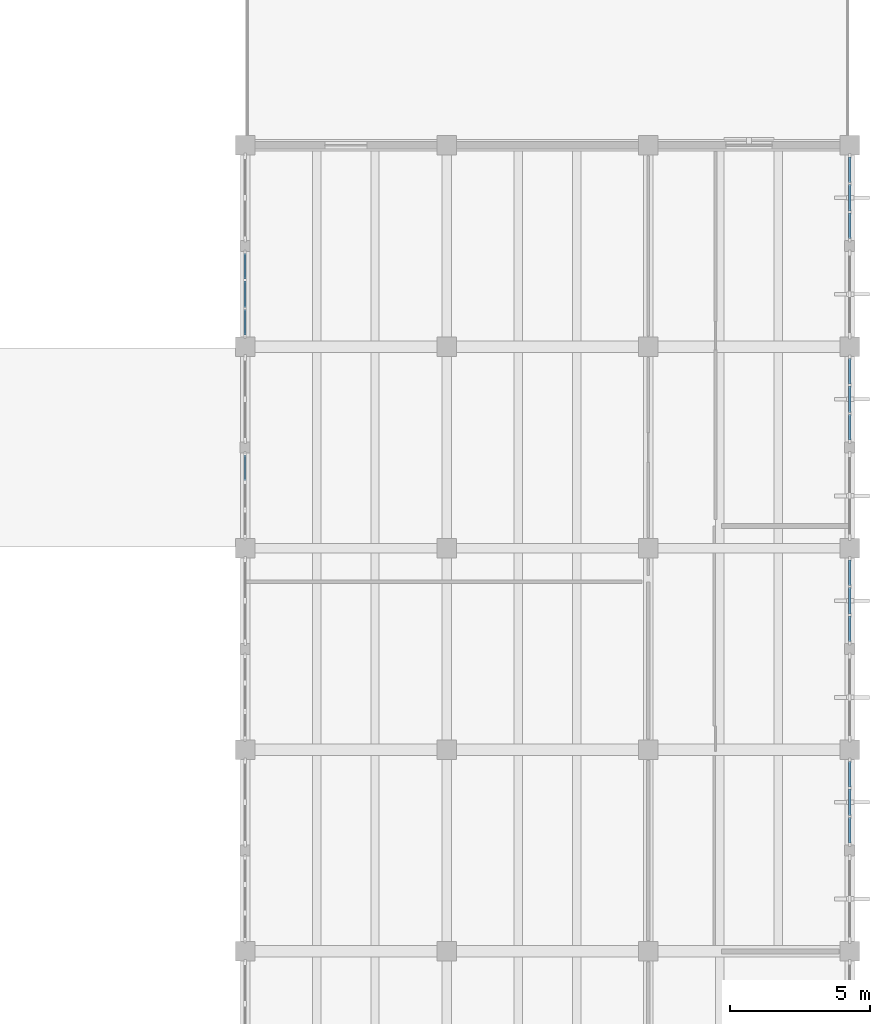
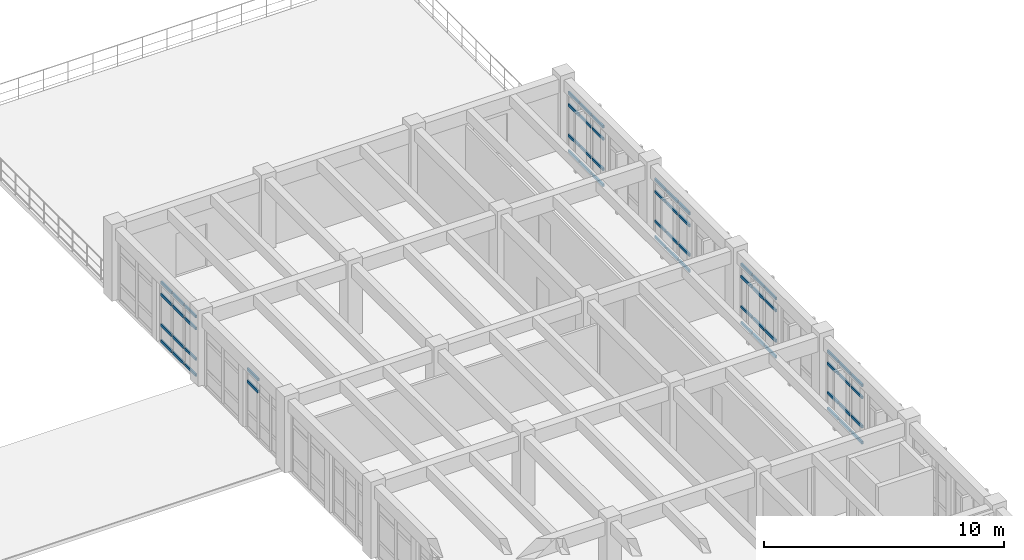
# One storey, part 21 of 54: 62 members, 6 elements without a shape of their own.
"""IFC4 building model written with IfcOpenShell, lengths in metres."""

from ifc_helpers import new_model, si_unit, direction, frame, origin, origin_2d, place, context, subcontext, project, spatial, rectangle, extrude, material, layer, layer_set, material_profile, profile_set, type_object, element, aggregate, save


model = new_model("IFC4")

# Units and contexts
model_context = context("Model", 3, precision=1e-05, world=origin(), true_north=direction((0.0, 1.0)))
body_context = subcontext(model_context, "Body", "Model", "MODEL_VIEW")
ifc_project = project(units=[si_unit("LENGTHUNIT", "METRE"), si_unit("AREAUNIT", "SQUARE_METRE"), si_unit("VOLUMEUNIT", "CUBIC_METRE"), si_unit("PLANEANGLEUNIT", "RADIAN"), si_unit("MASSUNIT", "GRAM", prefix="KILO")], contexts=[model_context])

# Site, building, storey
site_placement = place(None, origin())
site = spatial("IfcSite", under=ifc_project, at=site_placement, CompositionType="ELEMENT")
building_placement = place(site_placement, origin())
building = spatial("IfcBuilding", under=site, at=building_placement, Name="Koriwan Promenade Central Fire Station", CompositionType="ELEMENT")
storey_placement = place(building_placement, frame((0.0, 0.0, 9.60009765625)))
storey = spatial("IfcBuildingStorey", under=building, at=storey_placement, Name="L02", CompositionType="ELEMENT", Elevation=9.60009765625)

# Curtain wall, members
ifc_material_1 = material(Name="Aluminium EN AW-6063-T6 and low-E glazing", Category="aluminium")
ifc_layer_1 = layer(ifc_material_1, 0.159912109375, Name="Aluminium EN AW-6063-T6 and low-E glazing")
ifc_layer_set_1 = layer_set([ifc_layer_1], Name="Aluminium EN AW-6063-T6 and low-E glazing")
curtain_wall_type_1 = type_object("IfcCurtainWallType", Name="CurtainWall_74_305x300", PredefinedType="USERDEFINED", material=ifc_layer_set_1)
curtain_wall_1_placement = place(storey_placement, origin())
curtain_wall_1 = element("IfcCurtainWall", 1, at=curtain_wall_1_placement, inside=storey, type_object=curtain_wall_type_1, Name="V5 L02 unitised curtain wall 231", ObjectType="UNITISED CURTAIN WALL", PredefinedType="USERDEFINED")
ifc_material_2 = material(Name="Aluminium EN AW-6063-T6", Category="aluminium")
ifc_material_profile = material_profile(ifc_material_2, rectangle(XDim=0.074951171875, YDim=0.139892578125, at=origin_2d()), Name="ALU-TRN-75x140")
ifc_profile_set = profile_set([ifc_material_profile], Name="Aluminium EN AW-6063-T6")
member_type = type_object("IfcMemberType", Name="CWTransom_ALU-TRN-75x140", PredefinedType="USERDEFINED", material=ifc_profile_set)
member_1_placement = place(storey_placement, frame((151.199951171875, 45.620849609375, 2.349853515625), z_axis=(0.0, 1.0, 0.0), x_axis=(-1.0, 0.0, 0.0)))
member_1 = element("IfcMember", 2, at=member_1_placement, type_object=member_type, Name="CW-74 transom 3.3", ObjectType="TRANSOM", PredefinedType="USERDEFINED", context=body_context, shape_type="SweptSolid", body=[
    extrude(rectangle(XDim=0.074951171875, YDim=0.139892578125, at=origin_2d()), origin(), (0.0, 0.0, 1.0), 0.904052734375),
])
member_2_placement = place(storey_placement, frame((151.199951171875, 45.620849609375, 2.96240234375), z_axis=(0.0, 1.0, 0.0), x_axis=(-1.0, 0.0, 0.0)))
member_2 = element("IfcMember", 3, at=member_2_placement, type_object=member_type, Name="CW-74 transom 3.4", ObjectType="TRANSOM", PredefinedType="USERDEFINED", context=body_context, shape_type="SweptSolid", body=[
    extrude(rectangle(XDim=0.074951171875, YDim=0.139892578125, at=origin_2d()), origin(), (0.0, 0.0, 1.0), 0.904052734375),
])
aggregate(curtain_wall_1, [member_1, member_2])

ifc_layer_2 = layer(ifc_material_1, 0.159912109375, Name="Aluminium EN AW-6063-T6 and low-E glazing")
ifc_layer_set_2 = layer_set([ifc_layer_2], Name="Aluminium EN AW-6063-T6 and low-E glazing")
curtain_wall_type_2 = type_object("IfcCurtainWallType", Name="CurtainWall_76_305x305", PredefinedType="USERDEFINED", material=ifc_layer_set_2)
curtain_wall_2_placement = place(storey_placement, origin())
curtain_wall_2 = element("IfcCurtainWall", 4, at=curtain_wall_2_placement, inside=storey, type_object=curtain_wall_type_2, Name="V5 L02 unitised curtain wall 233", ObjectType="UNITISED CURTAIN WALL", PredefinedType="USERDEFINED")
member_3_placement = place(storey_placement, frame((151.199951171875, 50.824951171875, 0.037353515625), z_axis=(0.0, 1.0, 0.0), x_axis=(-1.0, 0.0, 0.0)))
member_3 = element("IfcMember", 5, at=member_3_placement, type_object=member_type, Name="CW-76 transom 1.1", ObjectType="TRANSOM", PredefinedType="USERDEFINED", context=body_context, shape_type="SweptSolid", body=[
    extrude(rectangle(XDim=0.074951171875, YDim=0.139892578125, at=origin_2d()), origin(), (0.0, 0.0, 1.0), 0.904296875),
])
member_4_placement = place(storey_placement, frame((151.199951171875, 50.824951171875, 0.849853515625), z_axis=(0.0, 1.0, 0.0), x_axis=(-1.0, 0.0, 0.0)))
member_4 = element("IfcMember", 6, at=member_4_placement, type_object=member_type, Name="CW-76 transom 1.2", ObjectType="TRANSOM", PredefinedType="USERDEFINED", context=body_context, shape_type="SweptSolid", body=[
    extrude(rectangle(XDim=0.074951171875, YDim=0.139892578125, at=origin_2d()), origin(), (0.0, 0.0, 1.0), 0.904296875),
])
member_5_placement = place(storey_placement, frame((151.199951171875, 50.824951171875, 2.39990234375), z_axis=(0.0, 1.0, 0.0), x_axis=(-1.0, 0.0, 0.0)))
member_5 = element("IfcMember", 7, at=member_5_placement, type_object=member_type, Name="CW-76 transom 1.3", ObjectType="TRANSOM", PredefinedType="USERDEFINED", context=body_context, shape_type="SweptSolid", body=[
    extrude(rectangle(XDim=0.074951171875, YDim=0.139892578125, at=origin_2d()), origin(), (0.0, 0.0, 1.0), 0.904296875),
])
member_6_placement = place(storey_placement, frame((151.199951171875, 50.824951171875, 3.012451171875), z_axis=(0.0, 1.0, 0.0), x_axis=(-1.0, 0.0, 0.0)))
member_6 = element("IfcMember", 8, at=member_6_placement, type_object=member_type, Name="CW-76 transom 1.4", ObjectType="TRANSOM", PredefinedType="USERDEFINED", context=body_context, shape_type="SweptSolid", body=[
    extrude(rectangle(XDim=0.074951171875, YDim=0.139892578125, at=origin_2d()), origin(), (0.0, 0.0, 1.0), 0.904296875),
])
member_7_placement = place(storey_placement, frame((151.199951171875, 51.80419921875, 0.037353515625), z_axis=(0.0, 1.0, 0.0), x_axis=(-1.0, 0.0, 0.0)))
member_7 = element("IfcMember", 9, at=member_7_placement, type_object=member_type, Name="CW-76 transom 2.1", ObjectType="TRANSOM", PredefinedType="USERDEFINED", context=body_context, shape_type="SweptSolid", body=[
    extrude(rectangle(XDim=0.074951171875, YDim=0.139892578125, at=origin_2d()), origin(), (0.0, 0.0, 1.0), 0.941650390625),
])
member_8_placement = place(storey_placement, frame((151.199951171875, 51.80419921875, 0.849853515625), z_axis=(0.0, 1.0, 0.0), x_axis=(-1.0, 0.0, 0.0)))
member_8 = element("IfcMember", 10, at=member_8_placement, type_object=member_type, Name="CW-76 transom 2.2", ObjectType="TRANSOM", PredefinedType="USERDEFINED", context=body_context, shape_type="SweptSolid", body=[
    extrude(rectangle(XDim=0.074951171875, YDim=0.139892578125, at=origin_2d()), origin(), (0.0, 0.0, 1.0), 0.941650390625),
])
member_9_placement = place(storey_placement, frame((151.199951171875, 51.80419921875, 2.39990234375), z_axis=(0.0, 1.0, 0.0), x_axis=(-1.0, 0.0, 0.0)))
member_9 = element("IfcMember", 11, at=member_9_placement, type_object=member_type, Name="CW-76 transom 2.3", ObjectType="TRANSOM", PredefinedType="USERDEFINED", context=body_context, shape_type="SweptSolid", body=[
    extrude(rectangle(XDim=0.074951171875, YDim=0.139892578125, at=origin_2d()), origin(), (0.0, 0.0, 1.0), 0.941650390625),
])
member_10_placement = place(storey_placement, frame((151.199951171875, 51.80419921875, 3.012451171875), z_axis=(0.0, 1.0, 0.0), x_axis=(-1.0, 0.0, 0.0)))
member_10 = element("IfcMember", 12, at=member_10_placement, type_object=member_type, Name="CW-76 transom 2.4", ObjectType="TRANSOM", PredefinedType="USERDEFINED", context=body_context, shape_type="SweptSolid", body=[
    extrude(rectangle(XDim=0.074951171875, YDim=0.139892578125, at=origin_2d()), origin(), (0.0, 0.0, 1.0), 0.941650390625),
])
member_11_placement = place(storey_placement, frame((151.199951171875, 52.82080078125, 0.037353515625), z_axis=(0.0, 1.0, 0.0), x_axis=(-1.0, 0.0, 0.0)))
member_11 = element("IfcMember", 13, at=member_11_placement, type_object=member_type, Name="CW-76 transom 3.1", ObjectType="TRANSOM", PredefinedType="USERDEFINED", context=body_context, shape_type="SweptSolid", body=[
    extrude(rectangle(XDim=0.074951171875, YDim=0.139892578125, at=origin_2d()), origin(), (0.0, 0.0, 1.0), 0.904296875),
])
member_12_placement = place(storey_placement, frame((151.199951171875, 52.82080078125, 0.849853515625), z_axis=(0.0, 1.0, 0.0), x_axis=(-1.0, 0.0, 0.0)))
member_12 = element("IfcMember", 14, at=member_12_placement, type_object=member_type, Name="CW-76 transom 3.2", ObjectType="TRANSOM", PredefinedType="USERDEFINED", context=body_context, shape_type="SweptSolid", body=[
    extrude(rectangle(XDim=0.074951171875, YDim=0.139892578125, at=origin_2d()), origin(), (0.0, 0.0, 1.0), 0.904296875),
])
member_13_placement = place(storey_placement, frame((151.199951171875, 52.82080078125, 2.39990234375), z_axis=(0.0, 1.0, 0.0), x_axis=(-1.0, 0.0, 0.0)))
member_13 = element("IfcMember", 15, at=member_13_placement, type_object=member_type, Name="CW-76 transom 3.3", ObjectType="TRANSOM", PredefinedType="USERDEFINED", context=body_context, shape_type="SweptSolid", body=[
    extrude(rectangle(XDim=0.074951171875, YDim=0.139892578125, at=origin_2d()), origin(), (0.0, 0.0, 1.0), 0.904296875),
])
member_14_placement = place(storey_placement, frame((151.199951171875, 52.82080078125, 3.012451171875), z_axis=(0.0, 1.0, 0.0), x_axis=(-1.0, 0.0, 0.0)))
member_14 = element("IfcMember", 16, at=member_14_placement, type_object=member_type, Name="CW-76 transom 3.4", ObjectType="TRANSOM", PredefinedType="USERDEFINED", context=body_context, shape_type="SweptSolid", body=[
    extrude(rectangle(XDim=0.074951171875, YDim=0.139892578125, at=origin_2d()), origin(), (0.0, 0.0, 1.0), 0.904296875),
])
aggregate(curtain_wall_2, [member_3, member_4, member_5, member_6, member_7, member_8, member_9, member_10, member_11, member_12, member_13, member_14])

curtain_wall_3_placement = place(storey_placement, origin())
curtain_wall_3 = element("IfcCurtainWall", 17, at=curtain_wall_3_placement, inside=storey, type_object=curtain_wall_type_2, Name="V5 L02 unitised curtain wall 235", ObjectType="UNITISED CURTAIN WALL", PredefinedType="USERDEFINED")
member_15_placement = place(storey_placement, frame((172.800048828125, 57.175048828125, 0.037353515625), z_axis=(0.0, -1.0, 0.0), x_axis=(1.0, 0.0, 0.0)))
member_15 = element("IfcMember", 18, at=member_15_placement, type_object=member_type, Name="CW-76 transom 1.1", ObjectType="TRANSOM", PredefinedType="USERDEFINED", context=body_context, shape_type="SweptSolid", body=[
    extrude(rectangle(XDim=0.074951171875, YDim=0.139892578125, at=origin_2d()), origin(), (0.0, 0.0, 1.0), 0.904296875),
])
member_16_placement = place(storey_placement, frame((172.800048828125, 57.175048828125, 0.849853515625), z_axis=(0.0, -1.0, 0.0), x_axis=(1.0, 0.0, 0.0)))
member_16 = element("IfcMember", 19, at=member_16_placement, type_object=member_type, Name="CW-76 transom 1.2", ObjectType="TRANSOM", PredefinedType="USERDEFINED", context=body_context, shape_type="SweptSolid", body=[
    extrude(rectangle(XDim=0.074951171875, YDim=0.139892578125, at=origin_2d()), origin(), (0.0, 0.0, 1.0), 0.904296875),
])
member_17_placement = place(storey_placement, frame((172.800048828125, 57.175048828125, 2.39990234375), z_axis=(0.0, -1.0, 0.0), x_axis=(1.0, 0.0, 0.0)))
member_17 = element("IfcMember", 20, at=member_17_placement, type_object=member_type, Name="CW-76 transom 1.3", ObjectType="TRANSOM", PredefinedType="USERDEFINED", context=body_context, shape_type="SweptSolid", body=[
    extrude(rectangle(XDim=0.074951171875, YDim=0.139892578125, at=origin_2d()), origin(), (0.0, 0.0, 1.0), 0.904296875),
])
member_18_placement = place(storey_placement, frame((172.800048828125, 57.175048828125, 3.012451171875), z_axis=(0.0, -1.0, 0.0), x_axis=(1.0, 0.0, 0.0)))
member_18 = element("IfcMember", 21, at=member_18_placement, type_object=member_type, Name="CW-76 transom 1.4", ObjectType="TRANSOM", PredefinedType="USERDEFINED", context=body_context, shape_type="SweptSolid", body=[
    extrude(rectangle(XDim=0.074951171875, YDim=0.139892578125, at=origin_2d()), origin(), (0.0, 0.0, 1.0), 0.904296875),
])
member_19_placement = place(storey_placement, frame((172.800048828125, 56.19580078125, 0.037353515625), z_axis=(0.0, -1.0, 0.0), x_axis=(1.0, 0.0, 0.0)))
member_19 = element("IfcMember", 22, at=member_19_placement, type_object=member_type, Name="CW-76 transom 2.1", ObjectType="TRANSOM", PredefinedType="USERDEFINED", context=body_context, shape_type="SweptSolid", body=[
    extrude(rectangle(XDim=0.074951171875, YDim=0.139892578125, at=origin_2d()), origin(), (0.0, 0.0, 1.0), 0.941650390625),
])
member_20_placement = place(storey_placement, frame((172.800048828125, 56.19580078125, 0.849853515625), z_axis=(0.0, -1.0, 0.0), x_axis=(1.0, 0.0, 0.0)))
member_20 = element("IfcMember", 23, at=member_20_placement, type_object=member_type, Name="CW-76 transom 2.2", ObjectType="TRANSOM", PredefinedType="USERDEFINED", context=body_context, shape_type="SweptSolid", body=[
    extrude(rectangle(XDim=0.074951171875, YDim=0.139892578125, at=origin_2d()), origin(), (0.0, 0.0, 1.0), 0.941650390625),
])
member_21_placement = place(storey_placement, frame((172.800048828125, 56.19580078125, 2.39990234375), z_axis=(0.0, -1.0, 0.0), x_axis=(1.0, 0.0, 0.0)))
member_21 = element("IfcMember", 24, at=member_21_placement, type_object=member_type, Name="CW-76 transom 2.3", ObjectType="TRANSOM", PredefinedType="USERDEFINED", context=body_context, shape_type="SweptSolid", body=[
    extrude(rectangle(XDim=0.074951171875, YDim=0.139892578125, at=origin_2d()), origin(), (0.0, 0.0, 1.0), 0.941650390625),
])
member_22_placement = place(storey_placement, frame((172.800048828125, 56.19580078125, 3.012451171875), z_axis=(0.0, -1.0, 0.0), x_axis=(1.0, 0.0, 0.0)))
member_22 = element("IfcMember", 25, at=member_22_placement, type_object=member_type, Name="CW-76 transom 2.4", ObjectType="TRANSOM", PredefinedType="USERDEFINED", context=body_context, shape_type="SweptSolid", body=[
    extrude(rectangle(XDim=0.074951171875, YDim=0.139892578125, at=origin_2d()), origin(), (0.0, 0.0, 1.0), 0.941650390625),
])
member_23_placement = place(storey_placement, frame((172.800048828125, 55.17919921875, 0.037353515625), z_axis=(0.0, -1.0, 0.0), x_axis=(1.0, 0.0, 0.0)))
member_23 = element("IfcMember", 26, at=member_23_placement, type_object=member_type, Name="CW-76 transom 3.1", ObjectType="TRANSOM", PredefinedType="USERDEFINED", context=body_context, shape_type="SweptSolid", body=[
    extrude(rectangle(XDim=0.074951171875, YDim=0.139892578125, at=origin_2d()), origin(), (0.0, 0.0, 1.0), 0.904296875),
])
member_24_placement = place(storey_placement, frame((172.800048828125, 55.17919921875, 0.849853515625), z_axis=(0.0, -1.0, 0.0), x_axis=(1.0, 0.0, 0.0)))
member_24 = element("IfcMember", 27, at=member_24_placement, type_object=member_type, Name="CW-76 transom 3.2", ObjectType="TRANSOM", PredefinedType="USERDEFINED", context=body_context, shape_type="SweptSolid", body=[
    extrude(rectangle(XDim=0.074951171875, YDim=0.139892578125, at=origin_2d()), origin(), (0.0, 0.0, 1.0), 0.904296875),
])
member_25_placement = place(storey_placement, frame((172.800048828125, 55.17919921875, 2.39990234375), z_axis=(0.0, -1.0, 0.0), x_axis=(1.0, 0.0, 0.0)))
member_25 = element("IfcMember", 28, at=member_25_placement, type_object=member_type, Name="CW-76 transom 3.3", ObjectType="TRANSOM", PredefinedType="USERDEFINED", context=body_context, shape_type="SweptSolid", body=[
    extrude(rectangle(XDim=0.074951171875, YDim=0.139892578125, at=origin_2d()), origin(), (0.0, 0.0, 1.0), 0.904296875),
])
member_26_placement = place(storey_placement, frame((172.800048828125, 55.17919921875, 3.012451171875), z_axis=(0.0, -1.0, 0.0), x_axis=(1.0, 0.0, 0.0)))
member_26 = element("IfcMember", 29, at=member_26_placement, type_object=member_type, Name="CW-76 transom 3.4", ObjectType="TRANSOM", PredefinedType="USERDEFINED", context=body_context, shape_type="SweptSolid", body=[
    extrude(rectangle(XDim=0.074951171875, YDim=0.139892578125, at=origin_2d()), origin(), (0.0, 0.0, 1.0), 0.904296875),
])
aggregate(curtain_wall_3, [member_15, member_16, member_17, member_18, member_19, member_20, member_21, member_22, member_23, member_24, member_25, member_26])

curtain_wall_4_placement = place(storey_placement, origin())
curtain_wall_4 = element("IfcCurtainWall", 30, at=curtain_wall_4_placement, inside=storey, type_object=curtain_wall_type_1, Name="V5 L02 unitised curtain wall 237", ObjectType="UNITISED CURTAIN WALL", PredefinedType="USERDEFINED")
member_27_placement = place(storey_placement, frame((172.800048828125, 49.97509765625, 0.037353515625), z_axis=(0.0, -1.0, 0.0), x_axis=(1.0, 0.0, 0.0)))
member_27 = element("IfcMember", 31, at=member_27_placement, type_object=member_type, Name="CW-74 transom 1.1", ObjectType="TRANSOM", PredefinedType="USERDEFINED", context=body_context, shape_type="SweptSolid", body=[
    extrude(rectangle(XDim=0.074951171875, YDim=0.139892578125, at=origin_2d()), origin(), (0.0, 0.0, 1.0), 0.904296875),
])
member_28_placement = place(storey_placement, frame((172.800048828125, 49.97509765625, 0.849853515625), z_axis=(0.0, -1.0, 0.0), x_axis=(1.0, 0.0, 0.0)))
member_28 = element("IfcMember", 32, at=member_28_placement, type_object=member_type, Name="CW-74 transom 1.2", ObjectType="TRANSOM", PredefinedType="USERDEFINED", context=body_context, shape_type="SweptSolid", body=[
    extrude(rectangle(XDim=0.074951171875, YDim=0.139892578125, at=origin_2d()), origin(), (0.0, 0.0, 1.0), 0.904296875),
])
member_29_placement = place(storey_placement, frame((172.800048828125, 49.97509765625, 2.349853515625), z_axis=(0.0, -1.0, 0.0), x_axis=(1.0, 0.0, 0.0)))
member_29 = element("IfcMember", 33, at=member_29_placement, type_object=member_type, Name="CW-74 transom 1.3", ObjectType="TRANSOM", PredefinedType="USERDEFINED", context=body_context, shape_type="SweptSolid", body=[
    extrude(rectangle(XDim=0.074951171875, YDim=0.139892578125, at=origin_2d()), origin(), (0.0, 0.0, 1.0), 0.904296875),
])
member_30_placement = place(storey_placement, frame((172.800048828125, 49.97509765625, 2.96240234375), z_axis=(0.0, -1.0, 0.0), x_axis=(1.0, 0.0, 0.0)))
member_30 = element("IfcMember", 34, at=member_30_placement, type_object=member_type, Name="CW-74 transom 1.4", ObjectType="TRANSOM", PredefinedType="USERDEFINED", context=body_context, shape_type="SweptSolid", body=[
    extrude(rectangle(XDim=0.074951171875, YDim=0.139892578125, at=origin_2d()), origin(), (0.0, 0.0, 1.0), 0.904296875),
])
member_31_placement = place(storey_placement, frame((172.800048828125, 48.995849609375, 0.037353515625), z_axis=(0.0, -1.0, 0.0), x_axis=(1.0, 0.0, 0.0)))
member_31 = element("IfcMember", 35, at=member_31_placement, type_object=member_type, Name="CW-74 transom 2.1", ObjectType="TRANSOM", PredefinedType="USERDEFINED", context=body_context, shape_type="SweptSolid", body=[
    extrude(rectangle(XDim=0.074951171875, YDim=0.139892578125, at=origin_2d()), origin(), (0.0, 0.0, 1.0), 0.941650390625),
])
member_32_placement = place(storey_placement, frame((172.800048828125, 48.995849609375, 0.849853515625), z_axis=(0.0, -1.0, 0.0), x_axis=(1.0, 0.0, 0.0)))
member_32 = element("IfcMember", 36, at=member_32_placement, type_object=member_type, Name="CW-74 transom 2.2", ObjectType="TRANSOM", PredefinedType="USERDEFINED", context=body_context, shape_type="SweptSolid", body=[
    extrude(rectangle(XDim=0.074951171875, YDim=0.139892578125, at=origin_2d()), origin(), (0.0, 0.0, 1.0), 0.941650390625),
])
member_33_placement = place(storey_placement, frame((172.800048828125, 48.995849609375, 2.349853515625), z_axis=(0.0, -1.0, 0.0), x_axis=(1.0, 0.0, 0.0)))
member_33 = element("IfcMember", 37, at=member_33_placement, type_object=member_type, Name="CW-74 transom 2.3", ObjectType="TRANSOM", PredefinedType="USERDEFINED", context=body_context, shape_type="SweptSolid", body=[
    extrude(rectangle(XDim=0.074951171875, YDim=0.139892578125, at=origin_2d()), origin(), (0.0, 0.0, 1.0), 0.941650390625),
])
member_34_placement = place(storey_placement, frame((172.800048828125, 48.995849609375, 2.96240234375), z_axis=(0.0, -1.0, 0.0), x_axis=(1.0, 0.0, 0.0)))
member_34 = element("IfcMember", 38, at=member_34_placement, type_object=member_type, Name="CW-74 transom 2.4", ObjectType="TRANSOM", PredefinedType="USERDEFINED", context=body_context, shape_type="SweptSolid", body=[
    extrude(rectangle(XDim=0.074951171875, YDim=0.139892578125, at=origin_2d()), origin(), (0.0, 0.0, 1.0), 0.941650390625),
])
member_35_placement = place(storey_placement, frame((172.800048828125, 47.979248046875, 0.037353515625), z_axis=(0.0, -1.0, 0.0), x_axis=(1.0, 0.0, 0.0)))
member_35 = element("IfcMember", 39, at=member_35_placement, type_object=member_type, Name="CW-74 transom 3.1", ObjectType="TRANSOM", PredefinedType="USERDEFINED", context=body_context, shape_type="SweptSolid", body=[
    extrude(rectangle(XDim=0.074951171875, YDim=0.139892578125, at=origin_2d()), origin(), (0.0, 0.0, 1.0), 0.904296875),
])
member_36_placement = place(storey_placement, frame((172.800048828125, 47.979248046875, 0.849853515625), z_axis=(0.0, -1.0, 0.0), x_axis=(1.0, 0.0, 0.0)))
member_36 = element("IfcMember", 40, at=member_36_placement, type_object=member_type, Name="CW-74 transom 3.2", ObjectType="TRANSOM", PredefinedType="USERDEFINED", context=body_context, shape_type="SweptSolid", body=[
    extrude(rectangle(XDim=0.074951171875, YDim=0.139892578125, at=origin_2d()), origin(), (0.0, 0.0, 1.0), 0.904296875),
])
member_37_placement = place(storey_placement, frame((172.800048828125, 47.979248046875, 2.349853515625), z_axis=(0.0, -1.0, 0.0), x_axis=(1.0, 0.0, 0.0)))
member_37 = element("IfcMember", 41, at=member_37_placement, type_object=member_type, Name="CW-74 transom 3.3", ObjectType="TRANSOM", PredefinedType="USERDEFINED", context=body_context, shape_type="SweptSolid", body=[
    extrude(rectangle(XDim=0.074951171875, YDim=0.139892578125, at=origin_2d()), origin(), (0.0, 0.0, 1.0), 0.904296875),
])
member_38_placement = place(storey_placement, frame((172.800048828125, 47.979248046875, 2.96240234375), z_axis=(0.0, -1.0, 0.0), x_axis=(1.0, 0.0, 0.0)))
member_38 = element("IfcMember", 42, at=member_38_placement, type_object=member_type, Name="CW-74 transom 3.4", ObjectType="TRANSOM", PredefinedType="USERDEFINED", context=body_context, shape_type="SweptSolid", body=[
    extrude(rectangle(XDim=0.074951171875, YDim=0.139892578125, at=origin_2d()), origin(), (0.0, 0.0, 1.0), 0.904296875),
])
aggregate(curtain_wall_4, [member_27, member_28, member_29, member_30, member_31, member_32, member_33, member_34, member_35, member_36, member_37, member_38])

ifc_layer_3 = layer(ifc_material_1, 0.159912109375, Name="Aluminium EN AW-6063-T6 and low-E glazing")
ifc_layer_set_3 = layer_set([ifc_layer_3], Name="Aluminium EN AW-6063-T6 and low-E glazing")
curtain_wall_type_3 = type_object("IfcCurtainWallType", Name="CurtainWall_80_305x304", PredefinedType="USERDEFINED", material=ifc_layer_set_3)
curtain_wall_5_placement = place(storey_placement, origin())
curtain_wall_5 = element("IfcCurtainWall", 43, at=curtain_wall_5_placement, inside=storey, type_object=curtain_wall_type_3, Name="V5 L02 unitised curtain wall 239", ObjectType="UNITISED CURTAIN WALL", PredefinedType="USERDEFINED")
member_39_placement = place(storey_placement, frame((172.800048828125, 42.77490234375, 0.037353515625), z_axis=(0.0, -1.0, 0.0), x_axis=(1.0, 0.0, 0.0)))
member_39 = element("IfcMember", 44, at=member_39_placement, type_object=member_type, Name="CW-80 transom 1.1", ObjectType="TRANSOM", PredefinedType="USERDEFINED", context=body_context, shape_type="SweptSolid", body=[
    extrude(rectangle(XDim=0.074951171875, YDim=0.139892578125, at=origin_2d()), origin(), (0.0, 0.0, 1.0), 0.904052734375),
])
member_40_placement = place(storey_placement, frame((172.800048828125, 42.77490234375, 0.849853515625), z_axis=(0.0, -1.0, 0.0), x_axis=(1.0, 0.0, 0.0)))
member_40 = element("IfcMember", 45, at=member_40_placement, type_object=member_type, Name="CW-80 transom 1.2", ObjectType="TRANSOM", PredefinedType="USERDEFINED", context=body_context, shape_type="SweptSolid", body=[
    extrude(rectangle(XDim=0.074951171875, YDim=0.139892578125, at=origin_2d()), origin(), (0.0, 0.0, 1.0), 0.904052734375),
])
member_41_placement = place(storey_placement, frame((172.800048828125, 42.77490234375, 2.389892578125), z_axis=(0.0, -1.0, 0.0), x_axis=(1.0, 0.0, 0.0)))
member_41 = element("IfcMember", 46, at=member_41_placement, type_object=member_type, Name="CW-80 transom 1.3", ObjectType="TRANSOM", PredefinedType="USERDEFINED", context=body_context, shape_type="SweptSolid", body=[
    extrude(rectangle(XDim=0.074951171875, YDim=0.139892578125, at=origin_2d()), origin(), (0.0, 0.0, 1.0), 0.904052734375),
])
member_42_placement = place(storey_placement, frame((172.800048828125, 42.77490234375, 3.00244140625), z_axis=(0.0, -1.0, 0.0), x_axis=(1.0, 0.0, 0.0)))
member_42 = element("IfcMember", 47, at=member_42_placement, type_object=member_type, Name="CW-80 transom 1.4", ObjectType="TRANSOM", PredefinedType="USERDEFINED", context=body_context, shape_type="SweptSolid", body=[
    extrude(rectangle(XDim=0.074951171875, YDim=0.139892578125, at=origin_2d()), origin(), (0.0, 0.0, 1.0), 0.904052734375),
])
member_43_placement = place(storey_placement, frame((172.800048828125, 41.7958984375, 0.037353515625), z_axis=(0.0, -1.0, 0.0), x_axis=(1.0, 0.0, 0.0)))
member_43 = element("IfcMember", 48, at=member_43_placement, type_object=member_type, Name="CW-80 transom 2.1", ObjectType="TRANSOM", PredefinedType="USERDEFINED", context=body_context, shape_type="SweptSolid", body=[
    extrude(rectangle(XDim=0.074951171875, YDim=0.139892578125, at=origin_2d()), origin(), (0.0, 0.0, 1.0), 0.941650390625),
])
member_44_placement = place(storey_placement, frame((172.800048828125, 41.7958984375, 0.849853515625), z_axis=(0.0, -1.0, 0.0), x_axis=(1.0, 0.0, 0.0)))
member_44 = element("IfcMember", 49, at=member_44_placement, type_object=member_type, Name="CW-80 transom 2.2", ObjectType="TRANSOM", PredefinedType="USERDEFINED", context=body_context, shape_type="SweptSolid", body=[
    extrude(rectangle(XDim=0.074951171875, YDim=0.139892578125, at=origin_2d()), origin(), (0.0, 0.0, 1.0), 0.941650390625),
])
member_45_placement = place(storey_placement, frame((172.800048828125, 41.7958984375, 2.389892578125), z_axis=(0.0, -1.0, 0.0), x_axis=(1.0, 0.0, 0.0)))
member_45 = element("IfcMember", 50, at=member_45_placement, type_object=member_type, Name="CW-80 transom 2.3", ObjectType="TRANSOM", PredefinedType="USERDEFINED", context=body_context, shape_type="SweptSolid", body=[
    extrude(rectangle(XDim=0.074951171875, YDim=0.139892578125, at=origin_2d()), origin(), (0.0, 0.0, 1.0), 0.941650390625),
])
member_46_placement = place(storey_placement, frame((172.800048828125, 41.7958984375, 3.00244140625), z_axis=(0.0, -1.0, 0.0), x_axis=(1.0, 0.0, 0.0)))
member_46 = element("IfcMember", 51, at=member_46_placement, type_object=member_type, Name="CW-80 transom 2.4", ObjectType="TRANSOM", PredefinedType="USERDEFINED", context=body_context, shape_type="SweptSolid", body=[
    extrude(rectangle(XDim=0.074951171875, YDim=0.139892578125, at=origin_2d()), origin(), (0.0, 0.0, 1.0), 0.941650390625),
])
member_47_placement = place(storey_placement, frame((172.800048828125, 40.779052734375, 0.037353515625), z_axis=(0.0, -1.0, 0.0), x_axis=(1.0, 0.0, 0.0)))
member_47 = element("IfcMember", 52, at=member_47_placement, type_object=member_type, Name="CW-80 transom 3.1", ObjectType="TRANSOM", PredefinedType="USERDEFINED", context=body_context, shape_type="SweptSolid", body=[
    extrude(rectangle(XDim=0.074951171875, YDim=0.139892578125, at=origin_2d()), origin(), (0.0, 0.0, 1.0), 0.904052734375),
])
member_48_placement = place(storey_placement, frame((172.800048828125, 40.779052734375, 0.849853515625), z_axis=(0.0, -1.0, 0.0), x_axis=(1.0, 0.0, 0.0)))
member_48 = element("IfcMember", 53, at=member_48_placement, type_object=member_type, Name="CW-80 transom 3.2", ObjectType="TRANSOM", PredefinedType="USERDEFINED", context=body_context, shape_type="SweptSolid", body=[
    extrude(rectangle(XDim=0.074951171875, YDim=0.139892578125, at=origin_2d()), origin(), (0.0, 0.0, 1.0), 0.904052734375),
])
member_49_placement = place(storey_placement, frame((172.800048828125, 40.779052734375, 2.389892578125), z_axis=(0.0, -1.0, 0.0), x_axis=(1.0, 0.0, 0.0)))
member_49 = element("IfcMember", 54, at=member_49_placement, type_object=member_type, Name="CW-80 transom 3.3", ObjectType="TRANSOM", PredefinedType="USERDEFINED", context=body_context, shape_type="SweptSolid", body=[
    extrude(rectangle(XDim=0.074951171875, YDim=0.139892578125, at=origin_2d()), origin(), (0.0, 0.0, 1.0), 0.904052734375),
])
member_50_placement = place(storey_placement, frame((172.800048828125, 40.779052734375, 3.00244140625), z_axis=(0.0, -1.0, 0.0), x_axis=(1.0, 0.0, 0.0)))
member_50 = element("IfcMember", 55, at=member_50_placement, type_object=member_type, Name="CW-80 transom 3.4", ObjectType="TRANSOM", PredefinedType="USERDEFINED", context=body_context, shape_type="SweptSolid", body=[
    extrude(rectangle(XDim=0.074951171875, YDim=0.139892578125, at=origin_2d()), origin(), (0.0, 0.0, 1.0), 0.904052734375),
])
aggregate(curtain_wall_5, [member_39, member_40, member_41, member_42, member_43, member_44, member_45, member_46, member_47, member_48, member_49, member_50])

ifc_layer_4 = layer(ifc_material_1, 0.159912109375, Name="Aluminium EN AW-6063-T6 and low-E glazing")
ifc_layer_set_4 = layer_set([ifc_layer_4], Name="Aluminium EN AW-6063-T6 and low-E glazing")
curtain_wall_type_4 = type_object("IfcCurtainWallType", Name="CurtainWall_73_305x299", PredefinedType="USERDEFINED", material=ifc_layer_set_4)
curtain_wall_6_placement = place(storey_placement, origin())
curtain_wall_6 = element("IfcCurtainWall", 56, at=curtain_wall_6_placement, inside=storey, type_object=curtain_wall_type_4, Name="V5 L02 unitised curtain wall 241", ObjectType="UNITISED CURTAIN WALL", PredefinedType="USERDEFINED")
member_51_placement = place(storey_placement, frame((172.800048828125, 35.574951171875, 0.037353515625), z_axis=(0.0, -1.0, 0.0), x_axis=(1.0, 0.0, 0.0)))
member_51 = element("IfcMember", 57, at=member_51_placement, type_object=member_type, Name="CW-73 transom 1.1", ObjectType="TRANSOM", PredefinedType="USERDEFINED", context=body_context, shape_type="SweptSolid", body=[
    extrude(rectangle(XDim=0.074951171875, YDim=0.139892578125, at=origin_2d()), origin(), (0.0, 0.0, 1.0), 0.904052734375),
])
member_52_placement = place(storey_placement, frame((172.800048828125, 35.574951171875, 0.849853515625), z_axis=(0.0, -1.0, 0.0), x_axis=(1.0, 0.0, 0.0)))
member_52 = element("IfcMember", 58, at=member_52_placement, type_object=member_type, Name="CW-73 transom 1.2", ObjectType="TRANSOM", PredefinedType="USERDEFINED", context=body_context, shape_type="SweptSolid", body=[
    extrude(rectangle(XDim=0.074951171875, YDim=0.139892578125, at=origin_2d()), origin(), (0.0, 0.0, 1.0), 0.904052734375),
])
member_53_placement = place(storey_placement, frame((172.800048828125, 35.574951171875, 2.33984375), z_axis=(0.0, -1.0, 0.0), x_axis=(1.0, 0.0, 0.0)))
member_53 = element("IfcMember", 59, at=member_53_placement, type_object=member_type, Name="CW-73 transom 1.3", ObjectType="TRANSOM", PredefinedType="USERDEFINED", context=body_context, shape_type="SweptSolid", body=[
    extrude(rectangle(XDim=0.074951171875, YDim=0.139892578125, at=origin_2d()), origin(), (0.0, 0.0, 1.0), 0.904052734375),
])
member_54_placement = place(storey_placement, frame((172.800048828125, 35.574951171875, 2.952392578125), z_axis=(0.0, -1.0, 0.0), x_axis=(1.0, 0.0, 0.0)))
member_54 = element("IfcMember", 60, at=member_54_placement, type_object=member_type, Name="CW-73 transom 1.4", ObjectType="TRANSOM", PredefinedType="USERDEFINED", context=body_context, shape_type="SweptSolid", body=[
    extrude(rectangle(XDim=0.074951171875, YDim=0.139892578125, at=origin_2d()), origin(), (0.0, 0.0, 1.0), 0.904052734375),
])
member_55_placement = place(storey_placement, frame((172.800048828125, 34.595947265625, 0.037353515625), z_axis=(0.0, -1.0, 0.0), x_axis=(1.0, 0.0, 0.0)))
member_55 = element("IfcMember", 61, at=member_55_placement, type_object=member_type, Name="CW-73 transom 2.1", ObjectType="TRANSOM", PredefinedType="USERDEFINED", context=body_context, shape_type="SweptSolid", body=[
    extrude(rectangle(XDim=0.074951171875, YDim=0.139892578125, at=origin_2d()), origin(), (0.0, 0.0, 1.0), 0.94189453125),
])
member_56_placement = place(storey_placement, frame((172.800048828125, 34.595947265625, 0.849853515625), z_axis=(0.0, -1.0, 0.0), x_axis=(1.0, 0.0, 0.0)))
member_56 = element("IfcMember", 62, at=member_56_placement, type_object=member_type, Name="CW-73 transom 2.2", ObjectType="TRANSOM", PredefinedType="USERDEFINED", context=body_context, shape_type="SweptSolid", body=[
    extrude(rectangle(XDim=0.074951171875, YDim=0.139892578125, at=origin_2d()), origin(), (0.0, 0.0, 1.0), 0.94189453125),
])
member_57_placement = place(storey_placement, frame((172.800048828125, 34.595947265625, 2.33984375), z_axis=(0.0, -1.0, 0.0), x_axis=(1.0, 0.0, 0.0)))
member_57 = element("IfcMember", 63, at=member_57_placement, type_object=member_type, Name="CW-73 transom 2.3", ObjectType="TRANSOM", PredefinedType="USERDEFINED", context=body_context, shape_type="SweptSolid", body=[
    extrude(rectangle(XDim=0.074951171875, YDim=0.139892578125, at=origin_2d()), origin(), (0.0, 0.0, 1.0), 0.94189453125),
])
member_58_placement = place(storey_placement, frame((172.800048828125, 34.595947265625, 2.952392578125), z_axis=(0.0, -1.0, 0.0), x_axis=(1.0, 0.0, 0.0)))
member_58 = element("IfcMember", 64, at=member_58_placement, type_object=member_type, Name="CW-73 transom 2.4", ObjectType="TRANSOM", PredefinedType="USERDEFINED", context=body_context, shape_type="SweptSolid", body=[
    extrude(rectangle(XDim=0.074951171875, YDim=0.139892578125, at=origin_2d()), origin(), (0.0, 0.0, 1.0), 0.94189453125),
])
member_59_placement = place(storey_placement, frame((172.800048828125, 33.5791015625, 0.037353515625), z_axis=(0.0, -1.0, 0.0), x_axis=(1.0, 0.0, 0.0)))
member_59 = element("IfcMember", 65, at=member_59_placement, type_object=member_type, Name="CW-73 transom 3.1", ObjectType="TRANSOM", PredefinedType="USERDEFINED", context=body_context, shape_type="SweptSolid", body=[
    extrude(rectangle(XDim=0.074951171875, YDim=0.139892578125, at=origin_2d()), origin(), (0.0, 0.0, 1.0), 0.904052734375),
])
member_60_placement = place(storey_placement, frame((172.800048828125, 33.5791015625, 0.849853515625), z_axis=(0.0, -1.0, 0.0), x_axis=(1.0, 0.0, 0.0)))
member_60 = element("IfcMember", 66, at=member_60_placement, type_object=member_type, Name="CW-73 transom 3.2", ObjectType="TRANSOM", PredefinedType="USERDEFINED", context=body_context, shape_type="SweptSolid", body=[
    extrude(rectangle(XDim=0.074951171875, YDim=0.139892578125, at=origin_2d()), origin(), (0.0, 0.0, 1.0), 0.904052734375),
])
member_61_placement = place(storey_placement, frame((172.800048828125, 33.5791015625, 2.33984375), z_axis=(0.0, -1.0, 0.0), x_axis=(1.0, 0.0, 0.0)))
member_61 = element("IfcMember", 67, at=member_61_placement, type_object=member_type, Name="CW-73 transom 3.3", ObjectType="TRANSOM", PredefinedType="USERDEFINED", context=body_context, shape_type="SweptSolid", body=[
    extrude(rectangle(XDim=0.074951171875, YDim=0.139892578125, at=origin_2d()), origin(), (0.0, 0.0, 1.0), 0.904052734375),
])
member_62_placement = place(storey_placement, frame((172.800048828125, 33.5791015625, 2.952392578125), z_axis=(0.0, -1.0, 0.0), x_axis=(1.0, 0.0, 0.0)))
member_62 = element("IfcMember", 68, at=member_62_placement, type_object=member_type, Name="CW-73 transom 3.4", ObjectType="TRANSOM", PredefinedType="USERDEFINED", context=body_context, shape_type="SweptSolid", body=[
    extrude(rectangle(XDim=0.074951171875, YDim=0.139892578125, at=origin_2d()), origin(), (0.0, 0.0, 1.0), 0.904052734375),
])
aggregate(curtain_wall_6, [member_51, member_52, member_53, member_54, member_55, member_56, member_57, member_58, member_59, member_60, member_61, member_62])

save(model, "model.ifc")
